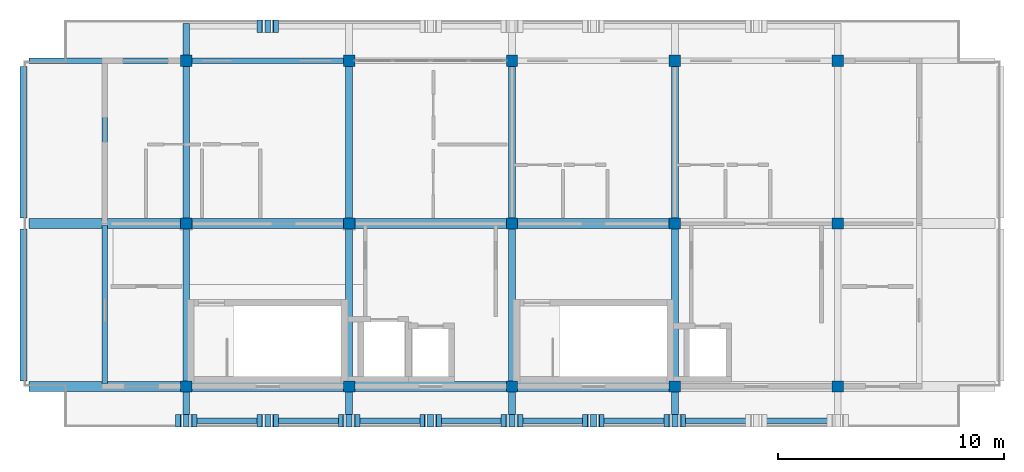
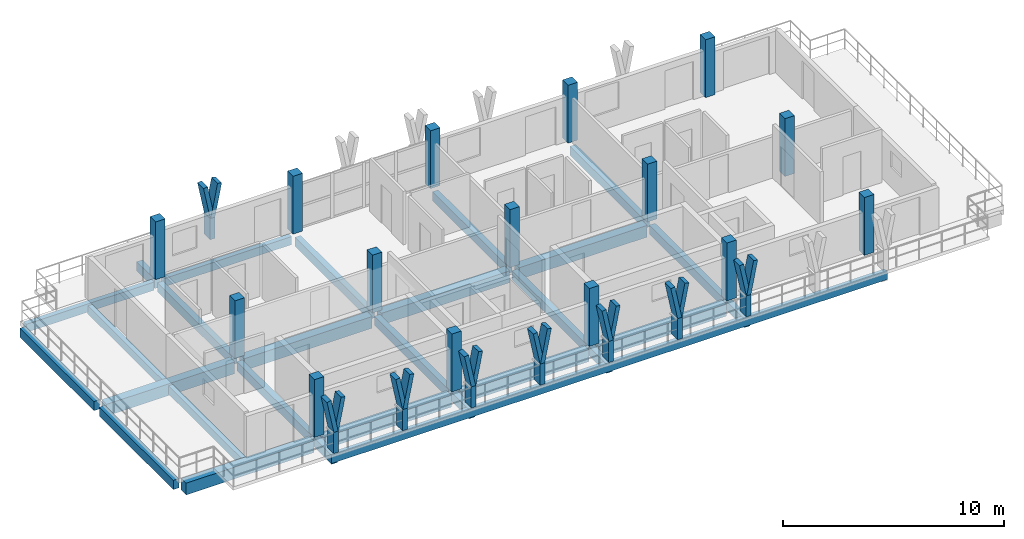
# One storey, part 1 of 7: 28 beams, 24 members, 15 columns.
"""IFC4 building model written with IfcOpenShell, lengths in metres."""

from ifc_helpers import new_model, si_unit, direction, frame, origin, origin_2d, place, context, subcontext, project, spatial, rectangle, extrude, material, material_profile, profile_set, type_object, element, save


model = new_model("IFC4")

# Units and contexts
model_context = context("Model", 3, precision=1e-05, world=origin(), true_north=direction((0.0, 1.0)))
body_context = subcontext(model_context, "Body", "Model", "MODEL_VIEW")
ifc_project = project(units=[si_unit("LENGTHUNIT", "METRE"), si_unit("AREAUNIT", "SQUARE_METRE"), si_unit("VOLUMEUNIT", "CUBIC_METRE"), si_unit("PLANEANGLEUNIT", "RADIAN"), si_unit("MASSUNIT", "GRAM", prefix="KILO")], contexts=[model_context])

# Site, building, storey
site_placement = place(None, origin())
site = spatial("IfcSite", under=ifc_project, at=site_placement, CompositionType="ELEMENT")
building_placement = place(site_placement, origin())
building = spatial("IfcBuilding", under=site, at=building_placement, Name="Suanplinth Sawtooth Commons", CompositionType="ELEMENT")
storey_placement = place(building_placement, frame((0.0, 0.0, 50.89990234375)))
storey = spatial("IfcBuildingStorey", under=building, at=storey_placement, Name="L15", CompositionType="ELEMENT", Elevation=50.89990234375)

# Columns
ifc_material_1 = material(Name="Precast concrete C40/50", Category="concrete")
ifc_material_profile_1 = material_profile(ifc_material_1, rectangle(XDim=0.5, YDim=0.5, at=origin_2d()), Name="PC-COL 500x500")
ifc_profile_set_1 = profile_set([ifc_material_profile_1], Name="Precast concrete C40/50")
column_type = type_object("IfcColumnType", Name="C-06", PredefinedType="COLUMN", material=ifc_profile_set_1)
for number, where, z_axis, x_axis, name in (
    (1, (43.199951171875, 108.0, 0.0), (0.0, 0.0, 1.0), (1.0, 0.0, 0.0), "Column L15 7/R"),
    (2, (43.199951171875, 115.199951171875, 0.0), (0.0, 0.0, 1.0), (1.0, 0.0, 0.0), "Column L15 7/S"),
    (3, (43.199951171875, 122.39990234375, 0.0), (0.0, 0.0, 1.0), (1.0, 0.0, 0.0), "Column L15 7/T"),
    (4, (50.39990234375, 108.0, 0.0), (0.0, 0.0, 1.0), (1.0, 0.0, 0.0), "Column L15 8/R"),
    (5, (50.39990234375, 115.199951171875, 0.0), (0.0, 0.0, 1.0), (1.0, 0.0, 0.0), "Column L15 8/S"),
    (6, (50.39990234375, 122.39990234375, 0.0), (0.0, 0.0, 1.0), (1.0, 0.0, 0.0), "Column L15 8/T"),
    (7, (57.60009765625, 108.0, 0.0), (0.0, 0.0, 1.0), (1.0, 0.0, 0.0), "Column L15 9/R"),
    (8, (57.60009765625, 115.199951171875, 0.0), (0.0, 0.0, 1.0), (1.0, 0.0, 0.0), "Column L15 9/S"),
    (9, (57.60009765625, 122.39990234375, 0.0), (0.0, 0.0, 1.0), (1.0, 0.0, 0.0), "Column L15 9/T"),
    (10, (64.800048828125, 108.0, 0.0), (0.0, 0.0, 1.0), (1.0, 0.0, 0.0), "Column L15 10/R"),
    (11, (64.800048828125, 115.199951171875, 0.0), (0.0, 0.0, 1.0), (1.0, 0.0, 0.0), "Column L15 10/S"),
    (12, (64.800048828125, 122.39990234375, 0.0), (0.0, 0.0, 1.0), (1.0, 0.0, 0.0), "Column L15 10/T"),
    (13, (72.0, 108.0, 0.0), (0.0, 0.0, 1.0), (1.0, 0.0, 0.0), "Column L15 11/R"),
    (14, (72.0, 115.199951171875, 0.0), (0.0, 0.0, 1.0), (1.0, 0.0, 0.0), "Column L15 11/S"),
    (15, (72.0, 122.39990234375, 0.0), (0.0, 0.0, 1.0), (1.0, 0.0, 0.0), "Column L15 11/T"),
):
    element("IfcColumn", number, at=place(storey_placement, frame(where, z_axis=z_axis, x_axis=x_axis)), inside=storey, type_object=column_type, Name=name, PredefinedType="COLUMN", context=body_context, shape_type="SweptSolid", body=[
        extrude(rectangle(XDim=0.5, YDim=0.5, at=origin_2d()), origin(), (0.0, 0.0, 1.0), 3.2001953125),
    ])

# Beams
ifc_material_profile_2 = material_profile(ifc_material_1, rectangle(XDim=0.449951171875, YDim=0.64990234375, at=origin_2d()), Name="PC-GDR 450x650")
ifc_profile_set_2 = profile_set([ifc_material_profile_2], Name="Precast concrete C40/50")
beam_type_1 = type_object("IfcBeamType", Name="B-04", PredefinedType="USERDEFINED", material=ifc_profile_set_2)
for number, where, z_axis, x_axis, name in (
    (16, (36.25, 108.0, -0.52490234375), (1.0, 0.0, 0.0), (0.0, 1.0, 0.0), "BMX-L15-A-5-15"),
    (17, (36.25, 115.199951171875, -0.52490234375), (1.0, 0.0, 0.0), (0.0, 1.0, 0.0), "BMX-L15-A-5-16"),
    (18, (43.449951171875, 108.0, -0.52490234375), (1.0, 0.0, 0.0), (0.0, 1.0, 0.0), "BMX-L15-A-6-15"),
    (19, (43.449951171875, 115.199951171875, -0.52490234375), (1.0, 0.0, 0.0), (0.0, 1.0, 0.0), "BMX-L15-A-6-16"),
):
    element("IfcBeam", number, at=place(storey_placement, frame(where, z_axis=z_axis, x_axis=x_axis)), inside=storey, type_object=beam_type_1, Name=name, ObjectType="GIRDER", PredefinedType="USERDEFINED", context=body_context, shape_type="SweptSolid", body=[
        extrude(rectangle(XDim=0.449951171875, YDim=0.64990234375, at=origin_2d()), origin(), (0.0, 0.0, 1.0), 6.699951171875),
    ])
for number, where, z_axis, x_axis, name in (
    (20, (50.64990234375, 108.0, -0.52490234375), (1.0, 0.0, 0.0), (0.0, 1.0, 0.0), "BMX-L15-A-7-15"),
    (21, (50.64990234375, 115.199951171875, -0.52490234375), (1.0, 0.0, 0.0), (0.0, 1.0, 0.0), "BMX-L15-A-7-16"),
):
    element("IfcBeam", number, at=place(storey_placement, frame(where, z_axis=z_axis, x_axis=x_axis)), inside=storey, type_object=beam_type_1, Name=name, ObjectType="GIRDER", PredefinedType="USERDEFINED", context=body_context, shape_type="SweptSolid", body=[
        extrude(rectangle(XDim=0.449951171875, YDim=0.64990234375, at=origin_2d()), origin(), (0.0, 0.0, 1.0), 6.7001953125),
    ])
for number, where, z_axis, x_axis, name in (
    (22, (57.85009765625, 108.0, -0.52490234375), (1.0, 0.0, 0.0), (0.0, 1.0, 0.0), "BMX-L15-A-8-15"),
    (23, (57.85009765625, 115.199951171875, -0.52490234375), (1.0, 0.0, 0.0), (0.0, 1.0, 0.0), "BMX-L15-A-8-16"),
):
    element("IfcBeam", number, at=place(storey_placement, frame(where, z_axis=z_axis, x_axis=x_axis)), inside=storey, type_object=beam_type_1, Name=name, ObjectType="GIRDER", PredefinedType="USERDEFINED", context=body_context, shape_type="SweptSolid", body=[
        extrude(rectangle(XDim=0.449951171875, YDim=0.64990234375, at=origin_2d()), origin(), (0.0, 0.0, 1.0), 6.699951171875),
    ])
ifc_material_profile_3 = material_profile(ifc_material_1, rectangle(XDim=0.300048828125, YDim=0.5, at=origin_2d()), Name="PC-BM 300x500")
ifc_profile_set_3 = profile_set([ifc_material_profile_3], Name="Precast concrete C40/50")
beam_type_2 = type_object("IfcBeamType", Name="B-07", PredefinedType="BEAM", material=ifc_profile_set_3)
for number, where, z_axis, x_axis, name in (
    (24, (36.0, 108.25, -0.449951171875), (0.0, 1.0, 0.0), (-1.0, 0.0, 0.0), "BMY-L15-A-5-15"),
    (25, (36.0, 115.449951171875, -0.449951171875), (0.0, 1.0, 0.0), (-1.0, 0.0, 0.0), "BMY-L15-A-5-16"),
    (26, (43.199951171875, 108.25, -0.449951171875), (0.0, 1.0, 0.0), (-1.0, 0.0, 0.0), "BMY-L15-A-6-15"),
    (27, (43.199951171875, 115.449951171875, -0.449951171875), (0.0, 1.0, 0.0), (-1.0, 0.0, 0.0), "BMY-L15-A-6-16"),
    (28, (50.39990234375, 108.25, -0.449951171875), (0.0, 1.0, 0.0), (-1.0, 0.0, 0.0), "BMY-L15-A-7-15"),
    (29, (50.39990234375, 115.449951171875, -0.449951171875), (0.0, 1.0, 0.0), (-1.0, 0.0, 0.0), "BMY-L15-A-7-16"),
    (30, (57.60009765625, 108.25, -0.449951171875), (0.0, 1.0, 0.0), (-1.0, 0.0, 0.0), "BMY-L15-A-8-15"),
    (31, (57.60009765625, 115.449951171875, -0.449951171875), (0.0, 1.0, 0.0), (-1.0, 0.0, 0.0), "BMY-L15-A-8-16"),
    (32, (64.800048828125, 108.25, -0.449951171875), (0.0, 1.0, 0.0), (-1.0, 0.0, 0.0), "BMY-L15-A-9-15"),
    (33, (64.800048828125, 115.449951171875, -0.449951171875), (0.0, 1.0, 0.0), (-1.0, 0.0, 0.0), "BMY-L15-A-9-16"),
):
    element("IfcBeam", number, at=place(storey_placement, frame(where, z_axis=z_axis, x_axis=x_axis)), inside=storey, type_object=beam_type_2, Name=name, PredefinedType="BEAM", context=body_context, shape_type="SweptSolid", body=[
        extrude(rectangle(XDim=0.300048828125, YDim=0.5, at=origin_2d()), origin(), (0.0, 0.0, 1.0), 6.699951171875),
    ])
beam_1_placement = place(storey_placement, frame((43.199951171875, 122.39990234375, -0.429931640625), z_axis=(0.0, 1.0, 0.0), x_axis=(-1.0, 0.0, 0.0)))
element("IfcBeam", 34, at=beam_1_placement, inside=storey, type_object=beam_type_2, Name="Balcony Outrigger L15-A-N-6", PredefinedType="BEAM", context=body_context, shape_type="SweptSolid", body=[
    extrude(rectangle(XDim=0.300048828125, YDim=0.5, at=origin_2d()), origin(), (0.0, 0.0, 1.0), 1.64013671875),
])
for number, where, z_axis, x_axis, name in (
    (35, (43.199951171875, 108.0, -0.429931640625), (0.0, -1.0, 0.0), (1.0, 0.0, 0.0), "Balcony Outrigger L15-A-S-6"),
    (36, (50.39990234375, 108.0, -0.429931640625), (0.0, -1.0, 0.0), (1.0, 0.0, 0.0), "Balcony Outrigger L15-A-S-7"),
    (37, (57.60009765625, 108.0, -0.429931640625), (0.0, -1.0, 0.0), (1.0, 0.0, 0.0), "Balcony Outrigger L15-A-S-8"),
    (38, (64.800048828125, 108.0, -0.429931640625), (0.0, -1.0, 0.0), (1.0, 0.0, 0.0), "Balcony Outrigger L15-A-S-9"),
):
    element("IfcBeam", number, at=place(storey_placement, frame(where, z_axis=z_axis, x_axis=x_axis)), inside=storey, type_object=beam_type_2, Name=name, PredefinedType="BEAM", context=body_context, shape_type="SweptSolid", body=[
        extrude(rectangle(XDim=0.300048828125, YDim=0.5, at=origin_2d()), origin(), (0.0, 0.0, 1.0), 1.639892578125),
    ])
ifc_material_profile_4 = material_profile(ifc_material_1, rectangle(XDim=0.25, YDim=0.449951171875, at=origin_2d()), Name="PC-SP 250x450")
ifc_profile_set_4 = profile_set([ifc_material_profile_4], Name="Precast concrete C40/50")
beam_type_3 = type_object("IfcBeamType", Name="B-09", PredefinedType="SPANDREL", material=ifc_profile_set_4)
for number, where, z_axis, x_axis, name in (
    (39, (36.25, 122.39990234375, -0.4248046875), (1.0, 0.0, 0.0), (0.0, 1.0, 0.0), "BMX-L15-A-5-17"),
    (40, (43.449951171875, 122.39990234375, -0.4248046875), (1.0, 0.0, 0.0), (0.0, 1.0, 0.0), "BMX-L15-A-6-17"),
):
    element("IfcBeam", number, at=place(storey_placement, frame(where, z_axis=z_axis, x_axis=x_axis)), inside=storey, type_object=beam_type_3, Name=name, PredefinedType="SPANDREL", context=body_context, shape_type="SweptSolid", body=[
        extrude(rectangle(XDim=0.25, YDim=0.449951171875, at=origin_2d()), origin(), (0.0, 0.0, 1.0), 6.699951171875),
    ])
beam_2_placement = place(storey_placement, frame((39.60009765625, 108.139892578125, -0.52490234375), z_axis=(0.0, 1.0, 0.0), x_axis=(-1.0, 0.0, 0.0)))
element("IfcBeam", 41, at=beam_2_placement, inside=storey, type_object=beam_type_3, Name="BMY-L15-A-STEP-396-15", PredefinedType="SPANDREL", context=body_context, shape_type="SweptSolid", body=[
    extrude(rectangle(XDim=0.25, YDim=0.449951171875, at=origin_2d()), origin(), (0.0, 0.0, 1.0), 6.980224609375),
])
beam_3_placement = place(storey_placement, frame((39.60009765625, 115.340087890625, -0.52490234375), z_axis=(0.0, 1.0, 0.0), x_axis=(-1.0, 0.0, 0.0)))
element("IfcBeam", 42, at=beam_3_placement, inside=storey, type_object=beam_type_3, Name="BMY-L15-A-STEP-396-16", PredefinedType="SPANDREL", context=body_context, shape_type="SweptSolid", body=[
    extrude(rectangle(XDim=0.25, YDim=0.449951171875, at=origin_2d()), origin(), (0.0, 0.0, 1.0), 6.97998046875),
])
beam_4_placement = place(storey_placement, frame((43.050048828125, 106.47998046875, -0.40478515625), z_axis=(1.0, 0.0, 0.0), x_axis=(0.0, 1.0, 0.0)))
element("IfcBeam", 43, at=beam_4_placement, inside=storey, type_object=beam_type_3, Name="Balcony Edge Fascia L15-A-S", PredefinedType="SPANDREL", context=body_context, shape_type="SweptSolid", body=[
    extrude(rectangle(XDim=0.25, YDim=0.449951171875, at=origin_2d()), origin(), (0.0, 0.0, 1.0), 29.099853515625),
])

# Members
ifc_material_2 = material(Name="Pigmented precast concrete C40/50", Category="concrete")
ifc_material_profile_5 = material_profile(ifc_material_2, rectangle(XDim=0.260009765625, YDim=0.550048828125, at=origin_2d()), Name="PC-FIN 260x550")
ifc_profile_set_5 = profile_set([ifc_material_profile_5], Name="Pigmented precast concrete C40/50")
member_type_1 = type_object("IfcMemberType", Name="M-09", PredefinedType="USERDEFINED", material=ifc_profile_set_5)
for number, where, z_axis, x_axis, name in (
    (44, (46.800048828125, 123.919921875, 0.0), (0.0, 0.0, 1.0), (1.0, 0.0, 0.0), "Y-Blade Stem L15-A-N-01"),
    (45, (43.199951171875, 106.47998046875, 0.0), (0.0, 0.0, 1.0), (1.0, 0.0, 0.0), "Y-Blade Stem L15-A-S-06"),
    (46, (46.800048828125, 106.47998046875, 0.0), (0.0, 0.0, 1.0), (1.0, 0.0, 0.0), "Y-Blade Stem L15-A-S-07"),
    (47, (50.39990234375, 106.47998046875, 0.0), (0.0, 0.0, 1.0), (1.0, 0.0, 0.0), "Y-Blade Stem L15-A-S-08"),
    (48, (54.0, 106.47998046875, 0.0), (0.0, 0.0, 1.0), (1.0, 0.0, 0.0), "Y-Blade Stem L15-A-S-09"),
    (49, (57.60009765625, 106.47998046875, 0.0), (0.0, 0.0, 1.0), (1.0, 0.0, 0.0), "Y-Blade Stem L15-A-S-10"),
    (50, (61.199951171875, 106.47998046875, 0.0), (0.0, 0.0, 1.0), (1.0, 0.0, 0.0), "Y-Blade Stem L15-A-S-11"),
    (51, (64.800048828125, 106.47998046875, 0.0), (0.0, 0.0, 1.0), (1.0, 0.0, 0.0), "Y-Blade Stem L15-A-S-12"),
):
    element("IfcMember", number, at=place(storey_placement, frame(where, z_axis=z_axis, x_axis=x_axis)), inside=storey, type_object=member_type_1, Name=name, ObjectType="SHADING FIN", PredefinedType="USERDEFINED", context=body_context, shape_type="SweptSolid", body=[
        extrude(rectangle(XDim=0.260009765625, YDim=0.550048828125, at=origin_2d()), origin(), (0.0, 0.0, 1.0), 1.170166015625),
    ])
ifc_material_profile_6 = material_profile(ifc_material_2, rectangle(XDim=0.219970703125, YDim=0.550048828125, at=origin_2d()), Name="PC-FIN 220x550")
ifc_profile_set_6 = profile_set([ifc_material_profile_6], Name="Pigmented precast concrete C40/50")
member_type_2 = type_object("IfcMemberType", Name="M-10", PredefinedType="USERDEFINED", material=ifc_profile_set_6)
for number, where, z_axis, x_axis, name in (
    (52, (46.800048828125, 123.919921875, 1.130126953125), (-0.196191192406, 0.0, 0.98056566125), (0.98056566125, 0.0, 0.196191192406), "Y-Blade Arm L L15-A-N-01"),
    (53, (46.800048828125, 123.919921875, 1.130126953125), (0.196191192406, 0.0, 0.98056566125), (-0.98056566125, 0.0, 0.196191192406), "Y-Blade Arm R L15-A-N-01"),
    (54, (43.199951171875, 106.47998046875, 1.130126953125), (-0.196191192406, 0.0, 0.98056566125), (0.98056566125, 0.0, 0.196191192406), "Y-Blade Arm L L15-A-S-06"),
    (55, (43.199951171875, 106.47998046875, 1.130126953125), (0.196191192406, 0.0, 0.98056566125), (-0.98056566125, 0.0, 0.196191192406), "Y-Blade Arm R L15-A-S-06"),
    (56, (46.800048828125, 106.47998046875, 1.130126953125), (-0.196191192406, 0.0, 0.98056566125), (0.98056566125, 0.0, 0.196191192406), "Y-Blade Arm L L15-A-S-07"),
    (57, (46.800048828125, 106.47998046875, 1.130126953125), (0.196191192406, 0.0, 0.98056566125), (-0.98056566125, 0.0, 0.196191192406), "Y-Blade Arm R L15-A-S-07"),
    (58, (50.39990234375, 106.47998046875, 1.130126953125), (-0.196191192406, 0.0, 0.98056566125), (0.98056566125, 0.0, 0.196191192406), "Y-Blade Arm L L15-A-S-08"),
):
    element("IfcMember", number, at=place(storey_placement, frame(where, z_axis=z_axis, x_axis=x_axis)), inside=storey, type_object=member_type_2, Name=name, ObjectType="SHADING FIN", PredefinedType="USERDEFINED", context=body_context, shape_type="SweptSolid", body=[
        extrude(rectangle(XDim=0.219970703125, YDim=0.550048828125, at=origin_2d()), origin(), (0.0, 0.0, 1.0), 1.87646484375),
    ])
member_1_placement = place(storey_placement, frame((50.39990234375, 106.47998046875, 1.130126953125), z_axis=(0.196316280189, 0.0, 0.980540625437), x_axis=(-0.980540625437, 0.0, 0.196316280189)))
element("IfcMember", 59, at=member_1_placement, inside=storey, type_object=member_type_2, Name="Y-Blade Arm R L15-A-S-08", ObjectType="SHADING FIN", PredefinedType="USERDEFINED", context=body_context, shape_type="SweptSolid", body=[
    extrude(rectangle(XDim=0.219970703125, YDim=0.550048828125, at=origin_2d()), origin(), (0.0, 0.0, 1.0), 1.876708984375),
])
for number, where, z_axis, x_axis, name in (
    (60, (54.0, 106.47998046875, 1.130126953125), (-0.196191192406, 0.0, 0.98056566125), (0.98056566125, 0.0, 0.196191192406), "Y-Blade Arm L L15-A-S-09"),
    (61, (54.0, 106.47998046875, 1.130126953125), (0.196191192406, 0.0, 0.98056566125), (-0.98056566125, 0.0, 0.196191192406), "Y-Blade Arm R L15-A-S-09"),
):
    element("IfcMember", number, at=place(storey_placement, frame(where, z_axis=z_axis, x_axis=x_axis)), inside=storey, type_object=member_type_2, Name=name, ObjectType="SHADING FIN", PredefinedType="USERDEFINED", context=body_context, shape_type="SweptSolid", body=[
        extrude(rectangle(XDim=0.219970703125, YDim=0.550048828125, at=origin_2d()), origin(), (0.0, 0.0, 1.0), 1.87646484375),
    ])
member_2_placement = place(storey_placement, frame((57.60009765625, 106.47998046875, 1.130126953125), z_axis=(-0.196316280189, 0.0, 0.980540625437), x_axis=(0.980540625437, 0.0, 0.196316280189)))
element("IfcMember", 62, at=member_2_placement, inside=storey, type_object=member_type_2, Name="Y-Blade Arm L L15-A-S-10", ObjectType="SHADING FIN", PredefinedType="USERDEFINED", context=body_context, shape_type="SweptSolid", body=[
    extrude(rectangle(XDim=0.219970703125, YDim=0.550048828125, at=origin_2d()), origin(), (0.0, 0.0, 1.0), 1.876708984375),
])
for number, where, z_axis, x_axis, name in (
    (63, (57.60009765625, 106.47998046875, 1.130126953125), (0.196191192406, 0.0, 0.98056566125), (-0.98056566125, 0.0, 0.196191192406), "Y-Blade Arm R L15-A-S-10"),
    (64, (61.199951171875, 106.47998046875, 1.130126953125), (-0.196191192406, 0.0, 0.98056566125), (0.98056566125, 0.0, 0.196191192406), "Y-Blade Arm L L15-A-S-11"),
    (65, (61.199951171875, 106.47998046875, 1.130126953125), (0.196191192406, 0.0, 0.98056566125), (-0.98056566125, 0.0, 0.196191192406), "Y-Blade Arm R L15-A-S-11"),
    (66, (64.800048828125, 106.47998046875, 1.130126953125), (-0.196191192406, 0.0, 0.98056566125), (0.98056566125, 0.0, 0.196191192406), "Y-Blade Arm L L15-A-S-12"),
    (67, (64.800048828125, 106.47998046875, 1.130126953125), (0.196191192406, 0.0, 0.98056566125), (-0.98056566125, 0.0, 0.196191192406), "Y-Blade Arm R L15-A-S-12"),
):
    element("IfcMember", number, at=place(storey_placement, frame(where, z_axis=z_axis, x_axis=x_axis)), inside=storey, type_object=member_type_2, Name=name, ObjectType="SHADING FIN", PredefinedType="USERDEFINED", context=body_context, shape_type="SweptSolid", body=[
        extrude(rectangle(XDim=0.219970703125, YDim=0.550048828125, at=origin_2d()), origin(), (0.0, 0.0, 1.0), 1.87646484375),
    ])

save(model, "model.ifc")
